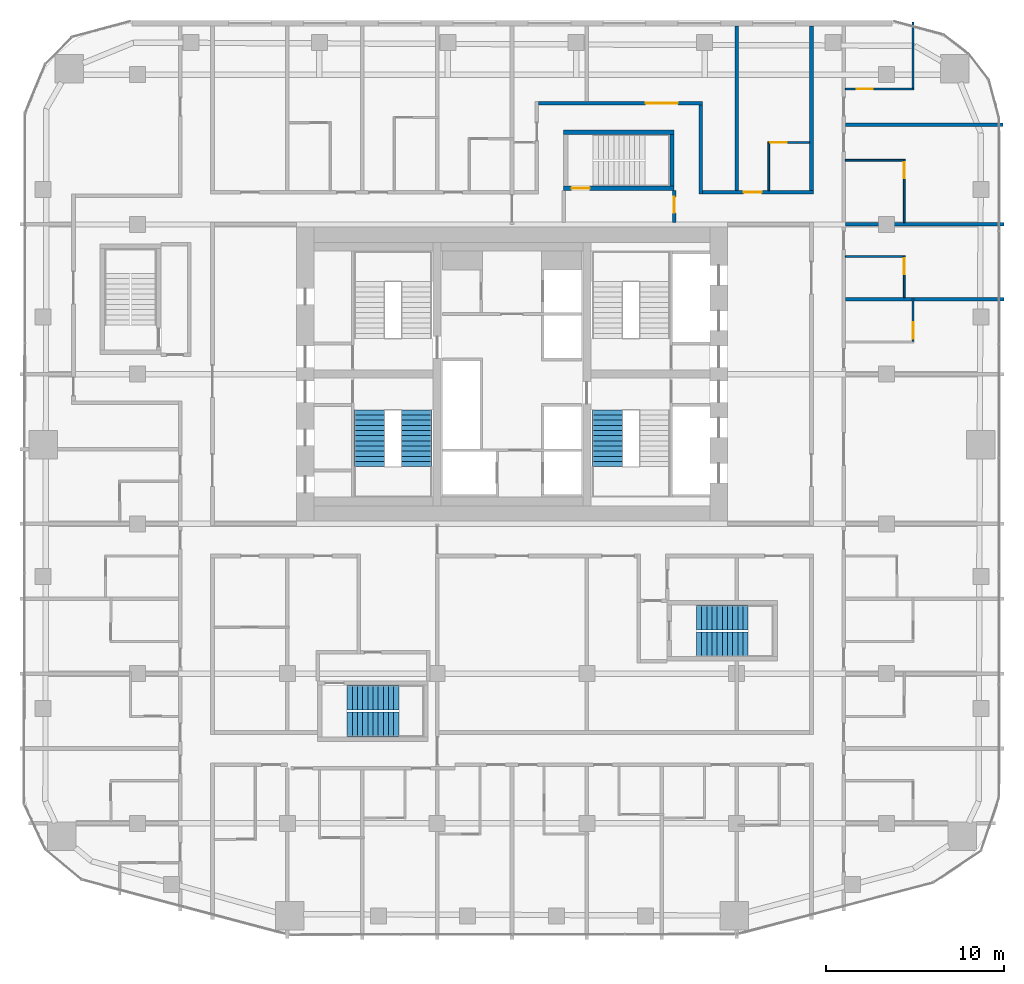
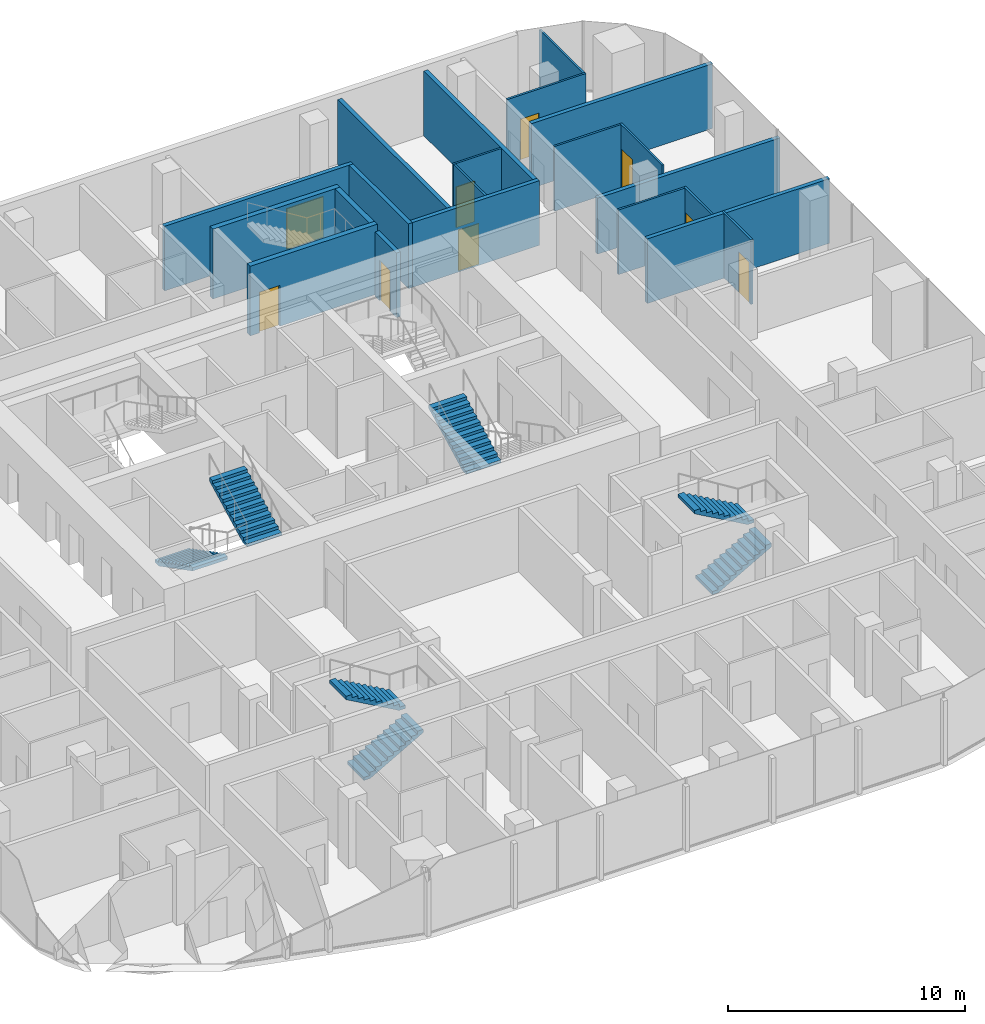
# One storey, part 20 of 23: 21 walls, 9 doors, 7 stair flights, 9 openings, 4 elements without a shape of their own.
"""IFC4 building model written with IfcOpenShell, lengths in metres."""

from ifc_helpers import new_model, si_unit, direction, frame, frame_2d, origin, place, context, subcontext, project, spatial, polyline, rectangle, outline, extrude, material, layer, layer_set, type_object, element, fill, aggregate, save


model = new_model("IFC4")

# Units and contexts
model_context = context("Model", 3, precision=1e-05, world=origin(), true_north=direction((0.0, 1.0)))
body_context = subcontext(model_context, "Body", "Model", "MODEL_VIEW")
ifc_project = project(units=[si_unit("LENGTHUNIT", "METRE"), si_unit("AREAUNIT", "SQUARE_METRE"), si_unit("VOLUMEUNIT", "CUBIC_METRE"), si_unit("PLANEANGLEUNIT", "RADIAN"), si_unit("MASSUNIT", "GRAM", prefix="KILO")], contexts=[model_context])

# Site, building, storey
site_placement = place(None, origin())
site = spatial("IfcSite", under=ifc_project, at=site_placement, CompositionType="ELEMENT")
building_placement = place(site_placement, origin())
building = spatial("IfcBuilding", under=site, at=building_placement, Name="Marenta Gate Hotel Tower", CompositionType="ELEMENT")
storey_placement = place(building_placement, frame((0.0, 0.0, 112.10009765625)))
storey = spatial("IfcBuildingStorey", under=building, at=storey_placement, Name="L24", CompositionType="ELEMENT", Elevation=112.10009765625)

# Wall, opening, door
ifc_material_1 = material(Name="Concrete C40", Category="concrete")
ifc_layer_1 = layer(ifc_material_1, 0.25)
ifc_layer_set_1 = layer_set([ifc_layer_1], Name="Concrete C40")
wall_type_1 = type_object("IfcWallType", Name="Remote stair enclosure wall 250 REI 180", PredefinedType="SHEAR", material=ifc_layer_set_1)
wall_1_placement = place(storey_placement, frame((2.89990234375, 18.824951171875, 0.099853515625), z_axis=(0.0, 0.0, 1.0), x_axis=(1.0, 0.0, 0.0)))
wall_1 = element("IfcWall", 1, at=wall_1_placement, inside=storey, type_object=wall_type_1, Name="L24-RS-Z2-4-W1", PredefinedType="SHEAR", context=body_context, shape_type="SweptSolid", body=[
    extrude(rectangle(XDim=6.2001953125, YDim=0.25, at=frame_2d((3.10009765625, 0.0))), origin(), (0.0, 0.0, 1.0), 3.60009765625),
])
opening_1_placement = place(wall_1_placement, frame((0.449951171875, 0.0, 0.0)))
opening_1 = element("IfcOpeningElement", 2, at=opening_1_placement, cuts=wall_1, Name="Opening VD", PredefinedType="OPENING", context=body_context, shape_type="SweptSolid", body=[
    extrude(rectangle(XDim=1.0, YDim=2.10009765625, at=frame_2d((0.5, 1.050048828125))), frame((0.0, 0.125, 0.0), z_axis=(0.0, -1.0, 0.0), x_axis=(1.0, 0.0, 0.0)), (0.0, 0.0, 1.0), 0.25),
])
ifc_material_2 = material(Name="Steel", Category="steel")
door_type_1 = type_object("IfcDoorType", Name="Stair vestibule door 1000x2100 FD60", OperationType="SINGLE_SWING_LEFT", PredefinedType="DOOR", material=ifc_material_2)
door_1_placement = place(opening_1_placement, origin())
door_1 = element("IfcDoor", 3, at=door_1_placement, inside=storey, type_object=door_type_1, Name="VD", OperationType="SINGLE_SWING_LEFT", OverallHeight=2.10009765625, OverallWidth=1.0, PredefinedType="DOOR", context=body_context, shape_type="SweptSolid", body=[
    extrude(rectangle(XDim=1.0, YDim=2.10009765625, at=frame_2d((0.5, 1.050048828125))), frame((0.0, 0.02490234375, 0.0), z_axis=(0.0, -1.0, 0.0), x_axis=(1.0, 0.0, 0.0)), (0.0, 0.0, 1.0), 0.050048828125),
])
fill(opening_1, door_1)

# Walls
wall_2_placement = place(storey_placement, frame((2.89990234375, 21.97509765625, 0.099853515625), z_axis=(0.0, 0.0, 1.0), x_axis=(1.0, 0.0, 0.0)))
element("IfcWall", 4, at=wall_2_placement, inside=storey, type_object=wall_type_1, Name="L24-RS-Z2-4-W2", PredefinedType="SHEAR", context=body_context, shape_type="SweptSolid", body=[
    extrude(rectangle(XDim=6.2001953125, YDim=0.25, at=frame_2d((3.10009765625, 0.0))), origin(), (0.0, 0.0, 1.0), 3.60009765625),
])
wall_3_placement = place(storey_placement, frame((8.97509765625, 18.949951171875, 0.099853515625), z_axis=(0.0, 0.0, 1.0), x_axis=(0.0, 1.0, 0.0)))
element("IfcWall", 5, at=wall_3_placement, inside=storey, type_object=wall_type_1, Name="L24-RS-Z2-4-W4", PredefinedType="SHEAR", context=body_context, shape_type="SweptSolid", body=[
    extrude(rectangle(XDim=2.900146484375, YDim=0.25, at=frame_2d((1.4501953125, 0.0))), origin(), (0.0, 0.0, 1.0), 3.60009765625),
])
ifc_material_3 = material(Name="Gypsum board on steel stud", Category="steel")
ifc_layer_2 = layer(ifc_material_3, 0.199951171875)
ifc_layer_set_2 = layer_set([ifc_layer_2], Name="Gypsum board on steel stud")
wall_type_2 = type_object("IfcWallType", Name="Room corridor wall 200 EI 60", PredefinedType="PARTITIONING", material=ifc_layer_set_2)
wall_4_placement = place(storey_placement, frame((16.800048828125, 18.699951171875, 0.0), z_axis=(0.0, 0.0, 1.0), x_axis=(0.0, 1.0, 0.0)))
element("IfcWall", 6, at=wall_4_placement, inside=storey, type_object=wall_type_2, Name="L24-PTN-W018", PredefinedType="PARTITIONING", context=body_context, shape_type="SweptSolid", body=[
    extrude(rectangle(XDim=9.239990234375, YDim=0.199951171875, at=frame_2d((4.6201171875, 0.0))), origin(), (0.0, 0.0, 1.0), 3.33984375),
])
wall_5_placement = place(storey_placement, frame((10.60009765625, 18.5, 0.0), z_axis=(0.0, 0.0, 1.0), x_axis=(0.0, 1.0, 0.0)))
element("IfcWall", 7, at=wall_5_placement, inside=storey, type_object=wall_type_2, Name="L24-PTN-W042", PredefinedType="PARTITIONING", context=body_context, shape_type="SweptSolid", body=[
    extrude(rectangle(XDim=5.0, YDim=0.199951171875, at=frame_2d((2.5, 0.0))), origin(), (0.0, 0.0, 1.0), 3.33984375),
])

# Wall, opening, door
wall_6_placement = place(storey_placement, frame((10.699951171875, 18.60009765625, 0.0), z_axis=(0.0, 0.0, 1.0), x_axis=(1.0, 0.0, 0.0)))
wall_6 = element("IfcWall", 8, at=wall_6_placement, inside=storey, type_object=wall_type_2, Name="L24-PTN-W113", PredefinedType="PARTITIONING", context=body_context, shape_type="SweptSolid", body=[
    extrude(rectangle(XDim=6.199951171875, YDim=0.199951171875, at=frame_2d((3.10009765625, 0.0))), origin(), (0.0, 0.0, 1.0), 3.33984375),
])
opening_2_placement = place(wall_6_placement, frame((2.300048828125, 0.0, 0.0)))
opening_2 = element("IfcOpeningElement", 9, at=opening_2_placement, cuts=wall_6, Name="Opening G08-35", PredefinedType="OPENING", context=body_context, shape_type="SweptSolid", body=[
    extrude(rectangle(XDim=1.0, YDim=2.10009765625, at=frame_2d((0.5, 1.050048828125))), frame((0.0, 0.10009765625, 0.0), z_axis=(0.0, -1.0, 0.0), x_axis=(1.0, 0.0, 0.0)), (0.0, 0.0, 1.0), 0.199951171875),
])
ifc_material_4 = material(Name="Timber door leaf", Category="wood")
door_type_2 = type_object("IfcDoorType", Name="Guest room door 1000x2100 EI 30", OperationType="NOTDEFINED", PredefinedType="DOOR", material=ifc_material_4)
door_2_placement = place(opening_2_placement, origin())
door_2 = element("IfcDoor", 10, at=door_2_placement, inside=storey, type_object=door_type_2, Name="L24-PD-D035", OperationType="SINGLE_SWING_RIGHT", OverallHeight=2.10009765625, OverallWidth=1.0, PredefinedType="DOOR", context=body_context, shape_type="SweptSolid", body=[
    extrude(rectangle(XDim=1.0, YDim=2.10009765625, at=frame_2d((0.5, 1.050048828125))), frame((0.0, 0.02490234375, 0.0), z_axis=(0.0, -1.0, 0.0), x_axis=(1.0, 0.0, 0.0)), (0.0, 0.0, 1.0), 0.050048828125),
])
fill(opening_2, door_2)

wall_7_placement = place(storey_placement, frame((1.5, 23.60009765625, 0.0), z_axis=(0.0, 0.0, 1.0), x_axis=(1.0, 0.0, 0.0)))
wall_7 = element("IfcWall", 11, at=wall_7_placement, inside=storey, type_object=wall_type_2, Name="L24-PTN-W127", PredefinedType="PARTITIONING", context=body_context, shape_type="SweptSolid", body=[
    extrude(rectangle(XDim=9.199951171875, YDim=0.199951171875, at=frame_2d((4.60009765625, 0.0))), origin(), (0.0, 0.0, 1.0), 3.33984375),
])
opening_3_placement = place(wall_7_placement, frame((6.0, 0.0, 0.0)))
opening_3 = element("IfcOpeningElement", 12, at=opening_3_placement, cuts=wall_7, Name="Opening G08-34", PredefinedType="OPENING", context=body_context, shape_type="SweptSolid", body=[
    extrude(rectangle(XDim=1.800048828125, YDim=2.10009765625, at=frame_2d((0.89990234375, 1.050048828125))), frame((0.0, 0.10009765625, 0.0), z_axis=(0.0, -1.0, 0.0), x_axis=(1.0, 0.0, 0.0)), (0.0, 0.0, 1.0), 0.199951171875),
])
ifc_material_5 = material(Name="Timber door leaf", Category="wood")
door_type_3 = type_object("IfcDoorType", Name="Room amenity door 1800x2100 EI 30", OperationType="DOUBLE_DOOR_SINGLE_SWING", PredefinedType="DOOR", material=ifc_material_5)
door_3_placement = place(opening_3_placement, origin())
door_3 = element("IfcDoor", 13, at=door_3_placement, inside=storey, type_object=door_type_3, Name="L24-PD-D034", OperationType="DOUBLE_DOOR_SINGLE_SWING", OverallHeight=2.10009765625, OverallWidth=1.800048828125, PredefinedType="DOOR", context=body_context, shape_type="SweptSolid", body=[
    extrude(rectangle(XDim=1.800048828125, YDim=2.10009765625, at=frame_2d((0.89990234375, 1.050048828125))), frame((0.0, 0.02490234375, 0.0), z_axis=(0.0, -1.0, 0.0), x_axis=(1.0, 0.0, 0.0)), (0.0, 0.0, 1.0), 0.050048828125),
])
fill(opening_3, door_3)

ifc_material_6 = material(Name="Concrete blockwork", Category="masonry")
ifc_layer_3 = layer(ifc_material_6, 0.199951171875)
ifc_layer_set_3 = layer_set([ifc_layer_3], Name="Concrete blockwork")
wall_type_3 = type_object("IfcWallType", Name="Room corridor wall 200 REI 180", PredefinedType="PARTITIONING", material=ifc_layer_set_3)
wall_8_placement = place(storey_placement, frame((9.10009765625, 16.89990234375, 0.0), z_axis=(0.0, 0.0, 1.0), x_axis=(0.0, 1.0, 0.0)))
wall_8 = element("IfcWall", 14, at=wall_8_placement, inside=storey, type_object=wall_type_3, Name="L24-PTN-W043", PredefinedType="PARTITIONING", context=body_context, shape_type="SweptSolid", body=[
    extrude(rectangle(XDim=1.800048828125, YDim=0.199951171875, at=frame_2d((0.89990234375, 0.0))), origin(), (0.0, 0.0, 1.0), 3.33984375),
])
opening_4_placement = place(wall_8_placement, frame((0.550048828125, 0.0, 0.0)))
opening_4 = element("IfcOpeningElement", 15, at=opening_4_placement, cuts=wall_8, Name="Opening G08-69", PredefinedType="OPENING", context=body_context, shape_type="SweptSolid", body=[
    extrude(rectangle(XDim=0.89990234375, YDim=2.10009765625, at=frame_2d((0.449951171875, 1.050048828125))), frame((0.0, 0.10009765625, 0.0), z_axis=(0.0, -1.0, 0.0), x_axis=(1.0, 0.0, 0.0)), (0.0, 0.0, 1.0), 0.199951171875),
])
ifc_material_7 = material(Name="Hollow steel door set", Category="steel")
door_type_4 = type_object("IfcDoorType", Name="Stair vestibule door 900x2100 EI 60", OperationType="NOTDEFINED", PredefinedType="DOOR", material=ifc_material_7)
door_4_placement = place(opening_4_placement, origin())
door_4 = element("IfcDoor", 16, at=door_4_placement, inside=storey, type_object=door_type_4, Name="L24-PD-D069", OperationType="SINGLE_SWING_RIGHT", OverallHeight=2.10009765625, OverallWidth=0.89990234375, PredefinedType="DOOR", context=body_context, shape_type="SweptSolid", body=[
    extrude(rectangle(XDim=0.89990234375, YDim=2.10009765625, at=frame_2d((0.449951171875, 1.050048828125))), frame((0.0, 0.02490234375, 0.0), z_axis=(0.0, -1.0, 0.0), x_axis=(1.0, 0.0, 0.0)), (0.0, 0.0, 1.0), 0.050048828125),
])
fill(opening_4, door_4)

ifc_material_8 = material(Name="Gypsum board on steel stud", Category="steel")
ifc_layer_4 = layer(ifc_material_8, 0.10009765625)
ifc_layer_set_4 = layer_set([ifc_layer_4], Name="Gypsum board on steel stud")
wall_type_4 = type_object("IfcWallType", Name="Room partition 100", PredefinedType="PARTITIONING", material=ifc_layer_set_4)
wall_9_placement = place(storey_placement, frame((22.5, 10.25, 0.0), z_axis=(0.0, 0.0, 1.0), x_axis=(0.0, 1.0, 0.0)))
wall_9 = element("IfcWall", 17, at=wall_9_placement, inside=storey, type_object=wall_type_4, Name="L24-PTN-W003", PredefinedType="PARTITIONING", context=body_context, shape_type="SweptSolid", body=[
    extrude(rectangle(XDim=2.449951171875, YDim=0.10009765625, at=frame_2d((1.22509765625, 0.0))), origin(), (0.0, 0.0, 1.0), 3.33984375),
])
opening_5_placement = place(wall_9_placement, frame((0.14990234375, 0.0, 0.0)))
opening_5 = element("IfcOpeningElement", 18, at=opening_5_placement, cuts=wall_9, Name="Opening G08-18", PredefinedType="OPENING", context=body_context, shape_type="SweptSolid", body=[
    extrude(rectangle(XDim=0.89990234375, YDim=2.10009765625, at=frame_2d((0.449951171875, 1.050048828125))), frame((0.0, 0.050048828125, 0.0), z_axis=(0.0, -1.0, 0.0), x_axis=(1.0, 0.0, 0.0)), (0.0, 0.0, 1.0), 0.10009765625),
])
ifc_material_9 = material(Name="Timber door leaf", Category="wood")
door_type_5 = type_object("IfcDoorType", Name="Guest bathroom door 900x2100", OperationType="NOTDEFINED", PredefinedType="DOOR", material=ifc_material_9)
door_5_placement = place(opening_5_placement, origin())
door_5 = element("IfcDoor", 19, at=door_5_placement, inside=storey, type_object=door_type_5, Name="L24-PD-D018", OperationType="SINGLE_SWING_LEFT", OverallHeight=2.10009765625, OverallWidth=0.89990234375, PredefinedType="DOOR", context=body_context, shape_type="SweptSolid", body=[
    extrude(rectangle(XDim=0.89990234375, YDim=2.10009765625, at=frame_2d((0.449951171875, 1.050048828125))), frame((0.0, 0.02490234375, 0.0), z_axis=(0.0, -1.0, 0.0), x_axis=(1.0, 0.0, 0.0)), (0.0, 0.0, 1.0), 0.050048828125),
])
fill(opening_5, door_5)

# Wall
wall_10_placement = place(storey_placement, frame((22.5, 24.449951171875, 0.0), z_axis=(0.0, 0.0, 1.0), x_axis=(0.0, 1.0, 0.0)))
element("IfcWall", 20, at=wall_10_placement, inside=storey, type_object=wall_type_4, Name="L24-PTN-W004", PredefinedType="PARTITIONING", context=body_context, shape_type="SweptSolid", body=[
    extrude(rectangle(XDim=3.692138671875, YDim=0.10009765625, at=frame_2d((1.84619140625, 0.0))), origin(), (0.0, 0.0, 1.0), 3.33984375),
])

# Wall, opening, door
wall_11_placement = place(storey_placement, frame((22.0, 12.699951171875, 0.0), z_axis=(0.0, 0.0, 1.0), x_axis=(0.0, 1.0, 0.0)))
wall_11 = element("IfcWall", 21, at=wall_11_placement, inside=storey, type_object=wall_type_4, Name="L24-PTN-W006", PredefinedType="PARTITIONING", context=body_context, shape_type="SweptSolid", body=[
    extrude(rectangle(XDim=2.35009765625, YDim=0.10009765625, at=frame_2d((1.175048828125, 0.0))), origin(), (0.0, 0.0, 1.0), 3.33984375),
])
opening_6_placement = place(wall_11_placement, frame((1.300048828125, 0.0, 0.0)))
opening_6 = element("IfcOpeningElement", 22, at=opening_6_placement, cuts=wall_11, Name="Opening G08-20", PredefinedType="OPENING", context=body_context, shape_type="SweptSolid", body=[
    extrude(rectangle(XDim=0.89990234375, YDim=2.10009765625, at=frame_2d((0.449951171875, 1.050048828125))), frame((0.0, 0.050048828125, 0.0), z_axis=(0.0, -1.0, 0.0), x_axis=(1.0, 0.0, 0.0)), (0.0, 0.0, 1.0), 0.10009765625),
])
door_6_placement = place(opening_6_placement, origin())
door_6 = element("IfcDoor", 23, at=door_6_placement, inside=storey, type_object=door_type_5, Name="L24-PD-D020", OperationType="SINGLE_SWING_RIGHT", OverallHeight=2.10009765625, OverallWidth=0.89990234375, PredefinedType="DOOR", context=body_context, shape_type="SweptSolid", body=[
    extrude(rectangle(XDim=0.89990234375, YDim=2.10009765625, at=frame_2d((0.449951171875, 1.050048828125))), frame((0.0, 0.02490234375, 0.0), z_axis=(0.0, -1.0, 0.0), x_axis=(1.0, 0.0, 0.0)), (0.0, 0.0, 1.0), 0.050048828125),
])
fill(opening_6, door_6)

wall_12_placement = place(storey_placement, frame((22.0, 16.89990234375, 0.0), z_axis=(0.0, 0.0, 1.0), x_axis=(0.0, 1.0, 0.0)))
wall_12 = element("IfcWall", 24, at=wall_12_placement, inside=storey, type_object=wall_type_4, Name="L24-PTN-W007", PredefinedType="PARTITIONING", context=body_context, shape_type="SweptSolid", body=[
    extrude(rectangle(XDim=3.550048828125, YDim=0.10009765625, at=frame_2d((1.77490234375, 0.0))), origin(), (0.0, 0.0, 1.0), 3.33984375),
])
opening_7_placement = place(wall_12_placement, frame((2.5, 0.0, 0.0)))
opening_7 = element("IfcOpeningElement", 25, at=opening_7_placement, cuts=wall_12, Name="Opening G08-22", PredefinedType="OPENING", context=body_context, shape_type="SweptSolid", body=[
    extrude(rectangle(XDim=0.89990234375, YDim=2.10009765625, at=frame_2d((0.449951171875, 1.050048828125))), frame((0.0, 0.050048828125, 0.0), z_axis=(0.0, -1.0, 0.0), x_axis=(1.0, 0.0, 0.0)), (0.0, 0.0, 1.0), 0.10009765625),
])
door_7_placement = place(opening_7_placement, origin())
door_7 = element("IfcDoor", 26, at=door_7_placement, inside=storey, type_object=door_type_5, Name="L24-PD-D022", OperationType="SINGLE_SWING_RIGHT", OverallHeight=2.10009765625, OverallWidth=0.89990234375, PredefinedType="DOOR", context=body_context, shape_type="SweptSolid", body=[
    extrude(rectangle(XDim=0.89990234375, YDim=2.10009765625, at=frame_2d((0.449951171875, 1.050048828125))), frame((0.0, 0.02490234375, 0.0), z_axis=(0.0, -1.0, 0.0), x_axis=(1.0, 0.0, 0.0)), (0.0, 0.0, 1.0), 0.050048828125),
])
fill(opening_7, door_7)

# Walls
wall_13_placement = place(storey_placement, frame((14.39990234375, 18.699951171875, 0.0), z_axis=(0.0, 0.0, 1.0), x_axis=(0.0, 1.0, 0.0)))
element("IfcWall", 27, at=wall_13_placement, inside=storey, type_object=wall_type_4, Name="L24-PTN-W025", PredefinedType="PARTITIONING", context=body_context, shape_type="SweptSolid", body=[
    extrude(rectangle(XDim=2.650146484375, YDim=0.10009765625, at=frame_2d((1.3251953125, 0.0))), origin(), (0.0, 0.0, 1.0), 3.33984375),
])
for number, where, z_axis, x_axis, name in (
    (28, (18.699951171875, 15.0, 0.0), (0.0, 0.0, 1.0), (1.0, 0.0, 0.0), "L24-PTN-W101"),
    (29, (18.699951171875, 20.39990234375, 0.0), (0.0, 0.0, 1.0), (1.0, 0.0, 0.0), "L24-PTN-W114"),
):
    element("IfcWall", number, at=place(storey_placement, frame(where, z_axis=z_axis, x_axis=x_axis)), inside=storey, type_object=wall_type_4, Name=name, PredefinedType="PARTITIONING", context=body_context, shape_type="SweptSolid", body=[
        extrude(rectangle(XDim=3.25, YDim=0.10009765625, at=frame_2d((1.625, 0.0))), origin(), (0.0, 0.0, 1.0), 3.33984375),
    ])

# Wall, opening, door
wall_14_placement = place(storey_placement, frame((14.35009765625, 21.39990234375, 0.0), z_axis=(0.0, 0.0, 1.0), x_axis=(1.0, 0.0, 0.0)))
wall_14 = element("IfcWall", 30, at=wall_14_placement, inside=storey, type_object=wall_type_4, Name="L24-PTN-W117", PredefinedType="PARTITIONING", context=body_context, shape_type="SweptSolid", body=[
    extrude(rectangle(XDim=2.349853515625, YDim=0.10009765625, at=frame_2d((1.1748046875, 0.0))), origin(), (0.0, 0.0, 1.0), 3.33984375),
])
opening_8_placement = place(wall_14_placement, frame((0.14990234375, 0.0, 0.0)))
opening_8 = element("IfcOpeningElement", 31, at=opening_8_placement, cuts=wall_14, Name="Opening G08-36", PredefinedType="OPENING", context=body_context, shape_type="SweptSolid", body=[
    extrude(rectangle(XDim=0.89990234375, YDim=2.10009765625, at=frame_2d((0.449951171875, 1.050048828125))), frame((0.0, 0.050048828125, 0.0), z_axis=(0.0, -1.0, 0.0), x_axis=(1.0, 0.0, 0.0)), (0.0, 0.0, 1.0), 0.10009765625),
])
door_8_placement = place(opening_8_placement, origin())
door_8 = element("IfcDoor", 32, at=door_8_placement, inside=storey, type_object=door_type_5, Name="L24-PD-D036", OperationType="SINGLE_SWING_RIGHT", OverallHeight=2.10009765625, OverallWidth=0.89990234375, PredefinedType="DOOR", context=body_context, shape_type="SweptSolid", body=[
    extrude(rectangle(XDim=0.89990234375, YDim=2.10009765625, at=frame_2d((0.449951171875, 1.050048828125))), frame((0.0, 0.02490234375, 0.0), z_axis=(0.0, -1.0, 0.0), x_axis=(1.0, 0.0, 0.0)), (0.0, 0.0, 1.0), 0.050048828125),
])
fill(opening_8, door_8)

wall_15_placement = place(storey_placement, frame((18.699951171875, 24.39990234375, 0.0), z_axis=(0.0, 0.0, 1.0), x_axis=(1.0, 0.0, 0.0)))
wall_15 = element("IfcWall", 33, at=wall_15_placement, inside=storey, type_object=wall_type_4, Name="L24-PTN-W128", PredefinedType="PARTITIONING", context=body_context, shape_type="SweptSolid", body=[
    extrude(rectangle(XDim=3.85009765625, YDim=0.10009765625, at=frame_2d((1.925048828125, 0.0))), origin(), (0.0, 0.0, 1.0), 3.33984375),
])
opening_9_placement = place(wall_15_placement, frame((0.64501953125, 0.0, 0.0)))
opening_9 = element("IfcOpeningElement", 34, at=opening_9_placement, cuts=wall_15, Name="Opening G08-24", PredefinedType="OPENING", context=body_context, shape_type="SweptSolid", body=[
    extrude(rectangle(XDim=0.89990234375, YDim=2.10009765625, at=frame_2d((0.449951171875, 1.050048828125))), frame((0.0, 0.050048828125, 0.0), z_axis=(0.0, -1.0, 0.0), x_axis=(1.0, 0.0, 0.0)), (0.0, 0.0, 1.0), 0.10009765625),
])
door_9_placement = place(opening_9_placement, origin())
door_9 = element("IfcDoor", 35, at=door_9_placement, inside=storey, type_object=door_type_5, Name="L24-PD-D024", OperationType="SINGLE_SWING_RIGHT", OverallHeight=2.10009765625, OverallWidth=0.89990234375, PredefinedType="DOOR", context=body_context, shape_type="SweptSolid", body=[
    extrude(rectangle(XDim=0.89990234375, YDim=2.10009765625, at=frame_2d((0.449951171875, 1.050048828125))), frame((0.0, 0.02490234375, 0.0), z_axis=(0.0, -1.0, 0.0), x_axis=(1.0, 0.0, 0.0)), (0.0, 0.0, 1.0), 0.050048828125),
])
fill(opening_9, door_9)

# Walls
ifc_material_10 = material(Name="Gypsum board on steel stud", Category="steel")
ifc_layer_5 = layer(ifc_material_10, 0.199951171875)
ifc_layer_set_5 = layer_set([ifc_layer_5], Name="Gypsum board on steel stud")
wall_type_5 = type_object("IfcWallType", Name="Room party wall 200 EI 60", PredefinedType="PARTITIONING", material=ifc_layer_set_5)
wall_16_placement = place(storey_placement, frame((12.60009765625, 18.699951171875, 0.0), z_axis=(0.0, 0.0, 1.0), x_axis=(0.0, 1.0, 0.0)))
element("IfcWall", 36, at=wall_16_placement, inside=storey, type_object=wall_type_5, Name="L24-PTN-W034", PredefinedType="PARTITIONING", context=body_context, shape_type="SweptSolid", body=[
    extrude(rectangle(XDim=9.239990234375, YDim=0.199951171875, at=frame_2d((4.6201171875, 0.0))), origin(), (0.0, 0.0, 1.0), 3.33984375),
])
wall_17_placement = place(storey_placement, frame((18.699951171875, 12.60009765625, 0.0), z_axis=(0.0, 0.0, 1.0), x_axis=(1.0, 0.0, 0.0)))
element("IfcWall", 37, at=wall_17_placement, inside=storey, type_object=wall_type_5, Name="L24-PTN-W099", PredefinedType="PARTITIONING", context=body_context, shape_type="SweptSolid", body=[
    extrude(rectangle(XDim=8.900146484375, YDim=0.199951171875, at=frame_2d((4.4501953125, 0.0))), origin(), (0.0, 0.0, 1.0), 3.33984375),
])
wall_18_placement = place(storey_placement, frame((18.699951171875, 16.800048828125, 0.0), z_axis=(0.0, 0.0, 1.0), x_axis=(1.0, 0.0, 0.0)))
element("IfcWall", 38, at=wall_18_placement, inside=storey, type_object=wall_type_5, Name="L24-PTN-W107", PredefinedType="PARTITIONING", context=body_context, shape_type="SweptSolid", body=[
    extrude(rectangle(XDim=8.900146484375, YDim=0.199951171875, at=frame_2d((4.4501953125, 0.0))), origin(), (0.0, 0.0, 1.0), 2.889892578125),
])
wall_19_placement = place(storey_placement, frame((18.699951171875, 22.39990234375, 0.0), z_axis=(0.0, 0.0, 1.0), x_axis=(1.0, 0.0, 0.0)))
element("IfcWall", 39, at=wall_19_placement, inside=storey, type_object=wall_type_5, Name="L24-PTN-W121", PredefinedType="PARTITIONING", context=body_context, shape_type="SweptSolid", body=[
    extrude(rectangle(XDim=8.84716796875, YDim=0.199951171875, at=frame_2d((4.423583984375, 0.0))), origin(), (0.0, 0.0, 1.0), 3.33984375),
])

# Stair, stair flights
ifc_material_11 = material(Name="Concrete C40", Category="concrete")
stair_type_1 = type_object("IfcStairType", Name="Core exit stair 1700 wide", PredefinedType="HALF_TURN_STAIR", material=ifc_material_11)
stair_1_placement = place(storey_placement, origin())
stair_1 = element("IfcStair", 40, at=stair_1_placement, inside=storey, type_object=stair_type_1, Name="Exit stair 1", PredefinedType="HALF_TURN_STAIR")
ifc_material_12 = material(Name="Concrete C40", Category="concrete")
stair_flight_type_1 = type_object("IfcStairFlightType", Name="Core stair flight 1700 riser 150.0 going 290", PredefinedType="STRAIGHT", material=ifc_material_12)
stair_flight_1_placement = place(storey_placement, frame((-8.0, 6.39990234375, 0.0), z_axis=(0.0, 0.0, 1.0), x_axis=(0.0, -1.0, 0.0)))
stair_flight_1 = element("IfcStairFlight", 41, at=stair_flight_1_placement, type_object=stair_flight_type_1, Name="ST1 flight 1", NumberOfRisers=12, NumberOfTreads=11, PredefinedType="STRAIGHT", RiserHeight=0.15, TreadLength=0.29, context=body_context, shape_type="SweptSolid", body=[
    extrude(outline(polyline([(0.0, 0.0), (0.0, 0.14990234375), (0.2900390625, 0.14990234375), (0.2900390625, 0.300048828125), (0.580078125, 0.300048828125), (0.580078125, 0.449951171875), (0.8701171875, 0.449951171875), (0.8701171875, 0.60009765625), (1.159912109375, 0.60009765625), (1.159912109375, 0.75), (1.449951171875, 0.75), (1.449951171875, 0.89990234375), (1.739990234375, 0.89990234375), (1.739990234375, 1.050048828125), (2.030029296875, 1.050048828125), (2.030029296875, 1.199951171875), (2.320068359375, 1.199951171875), (2.320068359375, 1.35009765625), (2.610107421875, 1.35009765625), (2.610107421875, 1.5), (2.89990234375, 1.5), (2.89990234375, 1.64990234375), (3.18994140625, 1.64990234375), (3.18994140625, 1.800048828125), (3.18994140625, 1.481201171875), (0.326171875, 0.0), (0.0, 0.0)])), frame((0.0, 0.85009765625, 0.0), z_axis=(0.0, -1.0, 0.0), x_axis=(1.0, 0.0, 0.0)), (0.0, 0.0, 1.0), 1.699951171875),
])
stair_flight_2_placement = place(storey_placement, frame((-5.35009765625, 3.2099609375, 1.7998046875), z_axis=(0.0, 0.0, 1.0), x_axis=(0.0, 1.0, 0.0)))
stair_flight_2 = element("IfcStairFlight", 42, at=stair_flight_2_placement, type_object=stair_flight_type_1, Name="ST1 flight 2", NumberOfRisers=12, NumberOfTreads=11, PredefinedType="STRAIGHT", RiserHeight=0.15, TreadLength=0.29, context=body_context, shape_type="SweptSolid", body=[
    extrude(outline(polyline([(0.0, 0.0), (0.0, 0.14990234375), (0.2900390625, 0.14990234375), (0.2900390625, 0.300048828125), (0.580078125, 0.300048828125), (0.580078125, 0.449951171875), (0.8701171875, 0.449951171875), (0.8701171875, 0.60009765625), (1.159912109375, 0.60009765625), (1.159912109375, 0.75), (1.449951171875, 0.75), (1.449951171875, 0.89990234375), (1.739990234375, 0.89990234375), (1.739990234375, 1.050048828125), (2.030029296875, 1.050048828125), (2.030029296875, 1.199951171875), (2.320068359375, 1.199951171875), (2.320068359375, 1.35009765625), (2.610107421875, 1.35009765625), (2.610107421875, 1.5), (2.89990234375, 1.5), (2.89990234375, 1.64990234375), (3.18994140625, 1.64990234375), (3.18994140625, 1.800048828125), (3.18994140625, 1.481201171875), (0.326171875, 0.0), (0.0, 0.0)])), frame((0.0, 0.85009765625, 0.0), z_axis=(0.0, -1.0, 0.0), x_axis=(1.0, 0.0, 0.0)), (0.0, 0.0, 1.0), 1.699951171875),
])
aggregate(stair_1, [stair_flight_1, stair_flight_2])

# Stair, stair flight
stair_2_placement = place(storey_placement, origin())
stair_2 = element("IfcStair", 43, at=stair_2_placement, inside=storey, type_object=stair_type_1, Name="Exit stair 3", PredefinedType="HALF_TURN_STAIR")
stair_flight_3_placement = place(storey_placement, frame((5.35009765625, 3.2099609375, 1.7998046875), z_axis=(0.0, 0.0, 1.0), x_axis=(0.0, 1.0, 0.0)))
stair_flight_3 = element("IfcStairFlight", 44, at=stair_flight_3_placement, type_object=stair_flight_type_1, Name="ST3 flight 2", NumberOfRisers=12, NumberOfTreads=11, PredefinedType="STRAIGHT", RiserHeight=0.15, TreadLength=0.29, context=body_context, shape_type="SweptSolid", body=[
    extrude(outline(polyline([(0.0, 0.0), (0.0, 0.14990234375), (0.2900390625, 0.14990234375), (0.2900390625, 0.300048828125), (0.580078125, 0.300048828125), (0.580078125, 0.449951171875), (0.8701171875, 0.449951171875), (0.8701171875, 0.60009765625), (1.159912109375, 0.60009765625), (1.159912109375, 0.75), (1.449951171875, 0.75), (1.449951171875, 0.89990234375), (1.739990234375, 0.89990234375), (1.739990234375, 1.050048828125), (2.030029296875, 1.050048828125), (2.030029296875, 1.199951171875), (2.320068359375, 1.199951171875), (2.320068359375, 1.35009765625), (2.610107421875, 1.35009765625), (2.610107421875, 1.5), (2.89990234375, 1.5), (2.89990234375, 1.64990234375), (3.18994140625, 1.64990234375), (3.18994140625, 1.800048828125), (3.18994140625, 1.481201171875), (0.326171875, 0.0), (0.0, 0.0)])), frame((0.0, 0.85009765625, 0.0), z_axis=(0.0, -1.0, 0.0), x_axis=(1.0, 0.0, 0.0)), (0.0, 0.0, 1.0), 1.699951171875),
])
aggregate(stair_2, [stair_flight_3])

# Stair, stair flights
ifc_material_13 = material(Name="Concrete C40", Category="concrete")
stair_type_2 = type_object("IfcStairType", Name="Remote exit stair 1400 wide", PredefinedType="HALF_TURN_STAIR", material=ifc_material_13)
stair_3_placement = place(storey_placement, origin())
stair_3 = element("IfcStair", 45, at=stair_3_placement, inside=storey, type_object=stair_type_2, Name="Exit stair RS-Z2-1", PredefinedType="HALF_TURN_STAIR")
ifc_material_14 = material(Name="Concrete C40", Category="concrete")
stair_flight_type_2 = type_object("IfcStairFlightType", Name="Remote stair flight 1400 riser 163.6 going 290", PredefinedType="STRAIGHT", material=ifc_material_14)
stair_flight_4_placement = place(storey_placement, frame((-9.25, -11.25, 0.0), z_axis=(0.0, 0.0, 1.0), x_axis=(1.0, 0.0, 0.0)))
stair_flight_4 = element("IfcStairFlight", 46, at=stair_flight_4_placement, type_object=stair_flight_type_2, Name="RS-Z2-1 flight 1", NumberOfRisers=11, NumberOfTreads=10, PredefinedType="STRAIGHT", RiserHeight=0.163636, TreadLength=0.29, context=body_context, shape_type="SweptSolid", body=[
    extrude(outline(polyline([(0.0, 0.0), (0.0, 0.16357421875), (0.2900390625, 0.16357421875), (0.2900390625, 0.327392578125), (0.580078125, 0.327392578125), (0.580078125, 0.490966796875), (0.8701171875, 0.490966796875), (0.8701171875, 0.654541015625), (1.159912109375, 0.654541015625), (1.159912109375, 0.818115234375), (1.449951171875, 0.818115234375), (1.449951171875, 0.98193359375), (1.739990234375, 0.98193359375), (1.739990234375, 1.1455078125), (2.030029296875, 1.1455078125), (2.030029296875, 1.30908203125), (2.320068359375, 1.30908203125), (2.320068359375, 1.47265625), (2.610107421875, 1.47265625), (2.610107421875, 1.636474609375), (2.89990234375, 1.636474609375), (2.89990234375, 1.800048828125), (2.89990234375, 1.46435546875), (0.304931640625, 0.0), (0.0, 0.0)])), frame((0.0, 0.699951171875, 0.0), z_axis=(0.0, -1.0, 0.0), x_axis=(1.0, 0.0, 0.0)), (0.0, 0.0, 1.0), 1.39990234375),
])
stair_flight_5_placement = place(storey_placement, frame((-6.35009765625, -9.75, 1.7998046875), z_axis=(0.0, 0.0, 1.0), x_axis=(-1.0, 0.0, 0.0)))
stair_flight_5 = element("IfcStairFlight", 47, at=stair_flight_5_placement, type_object=stair_flight_type_2, Name="RS-Z2-1 flight 2", NumberOfRisers=11, NumberOfTreads=10, PredefinedType="STRAIGHT", RiserHeight=0.163636, TreadLength=0.29, context=body_context, shape_type="SweptSolid", body=[
    extrude(outline(polyline([(0.0, 0.0), (0.0, 0.16357421875), (0.2900390625, 0.16357421875), (0.2900390625, 0.327392578125), (0.580078125, 0.327392578125), (0.580078125, 0.490966796875), (0.8701171875, 0.490966796875), (0.8701171875, 0.654541015625), (1.159912109375, 0.654541015625), (1.159912109375, 0.818115234375), (1.449951171875, 0.818115234375), (1.449951171875, 0.98193359375), (1.739990234375, 0.98193359375), (1.739990234375, 1.1455078125), (2.030029296875, 1.1455078125), (2.030029296875, 1.30908203125), (2.320068359375, 1.30908203125), (2.320068359375, 1.47265625), (2.610107421875, 1.47265625), (2.610107421875, 1.636474609375), (2.89990234375, 1.636474609375), (2.89990234375, 1.800048828125), (2.89990234375, 1.46435546875), (0.304931640625, 0.0), (0.0, 0.0)])), frame((0.0, 0.699951171875, 0.0), z_axis=(0.0, -1.0, 0.0), x_axis=(1.0, 0.0, 0.0)), (0.0, 0.0, 1.0), 1.39990234375),
])
aggregate(stair_3, [stair_flight_4, stair_flight_5])

stair_4_placement = place(storey_placement, origin())
stair_4 = element("IfcStair", 48, at=stair_4_placement, inside=storey, type_object=stair_type_2, Name="Exit stair RS-Z2-2", PredefinedType="HALF_TURN_STAIR")
stair_flight_6_placement = place(storey_placement, frame((10.35009765625, -6.75, 0.0), z_axis=(0.0, 0.0, 1.0), x_axis=(1.0, 0.0, 0.0)))
stair_flight_6 = element("IfcStairFlight", 49, at=stair_flight_6_placement, type_object=stair_flight_type_2, Name="RS-Z2-2 flight 1", NumberOfRisers=11, NumberOfTreads=10, PredefinedType="STRAIGHT", RiserHeight=0.163636, TreadLength=0.29, context=body_context, shape_type="SweptSolid", body=[
    extrude(outline(polyline([(0.0, 0.0), (0.0, 0.16357421875), (0.2900390625, 0.16357421875), (0.2900390625, 0.327392578125), (0.580078125, 0.327392578125), (0.580078125, 0.490966796875), (0.8701171875, 0.490966796875), (0.8701171875, 0.654541015625), (1.159912109375, 0.654541015625), (1.159912109375, 0.818115234375), (1.449951171875, 0.818115234375), (1.449951171875, 0.98193359375), (1.739990234375, 0.98193359375), (1.739990234375, 1.1455078125), (2.030029296875, 1.1455078125), (2.030029296875, 1.30908203125), (2.320068359375, 1.30908203125), (2.320068359375, 1.47265625), (2.610107421875, 1.47265625), (2.610107421875, 1.636474609375), (2.89990234375, 1.636474609375), (2.89990234375, 1.800048828125), (2.89990234375, 1.46435546875), (0.304931640625, 0.0), (0.0, 0.0)])), frame((0.0, 0.699951171875, 0.0), z_axis=(0.0, -1.0, 0.0), x_axis=(1.0, 0.0, 0.0)), (0.0, 0.0, 1.0), 1.39990234375),
])
stair_flight_7_placement = place(storey_placement, frame((13.25, -5.25, 1.7998046875), z_axis=(0.0, 0.0, 1.0), x_axis=(-1.0, 0.0, 0.0)))
stair_flight_7 = element("IfcStairFlight", 50, at=stair_flight_7_placement, type_object=stair_flight_type_2, Name="RS-Z2-2 flight 2", NumberOfRisers=11, NumberOfTreads=10, PredefinedType="STRAIGHT", RiserHeight=0.163636, TreadLength=0.29, context=body_context, shape_type="SweptSolid", body=[
    extrude(outline(polyline([(0.0, 0.0), (0.0, 0.16357421875), (0.2900390625, 0.16357421875), (0.2900390625, 0.327392578125), (0.580078125, 0.327392578125), (0.580078125, 0.490966796875), (0.8701171875, 0.490966796875), (0.8701171875, 0.654541015625), (1.159912109375, 0.654541015625), (1.159912109375, 0.818115234375), (1.449951171875, 0.818115234375), (1.449951171875, 0.98193359375), (1.739990234375, 0.98193359375), (1.739990234375, 1.1455078125), (2.030029296875, 1.1455078125), (2.030029296875, 1.30908203125), (2.320068359375, 1.30908203125), (2.320068359375, 1.47265625), (2.610107421875, 1.47265625), (2.610107421875, 1.636474609375), (2.89990234375, 1.636474609375), (2.89990234375, 1.800048828125), (2.89990234375, 1.46435546875), (0.304931640625, 0.0), (0.0, 0.0)])), frame((0.0, 0.699951171875, 0.0), z_axis=(0.0, -1.0, 0.0), x_axis=(1.0, 0.0, 0.0)), (0.0, 0.0, 1.0), 1.39990234375),
])
aggregate(stair_4, [stair_flight_6, stair_flight_7])

save(model, "model.ifc")
